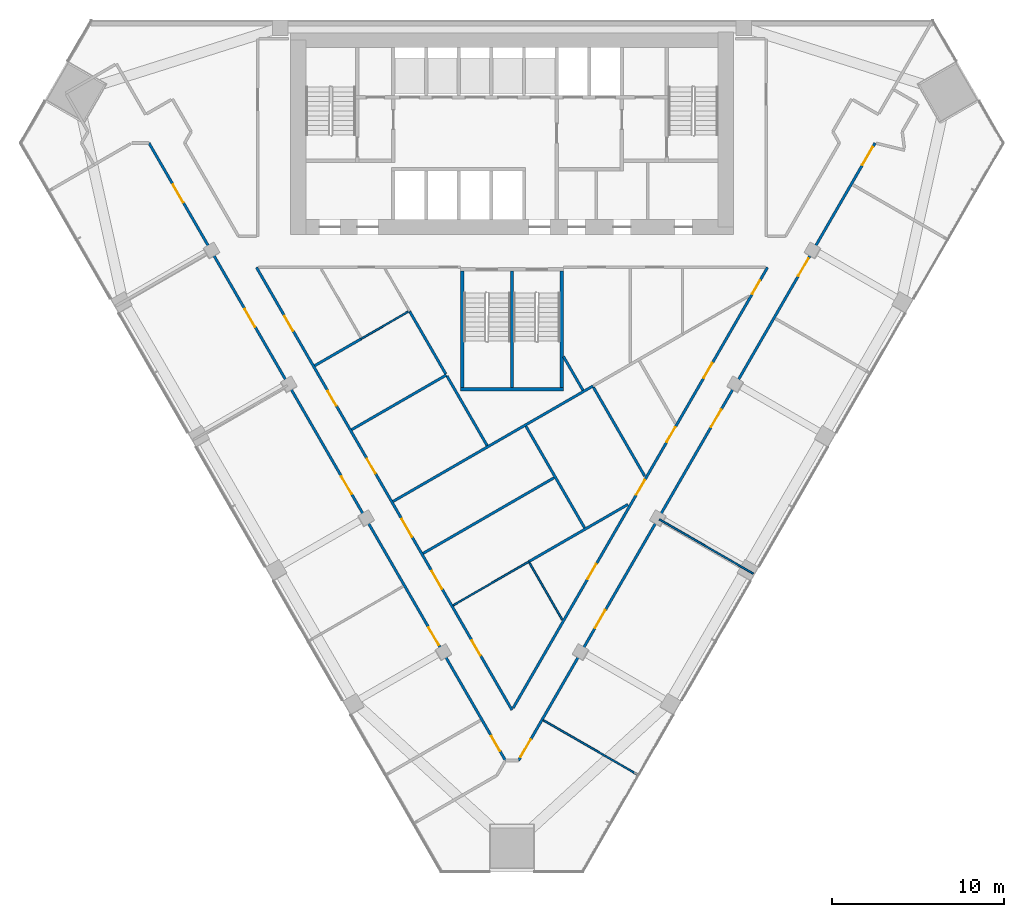
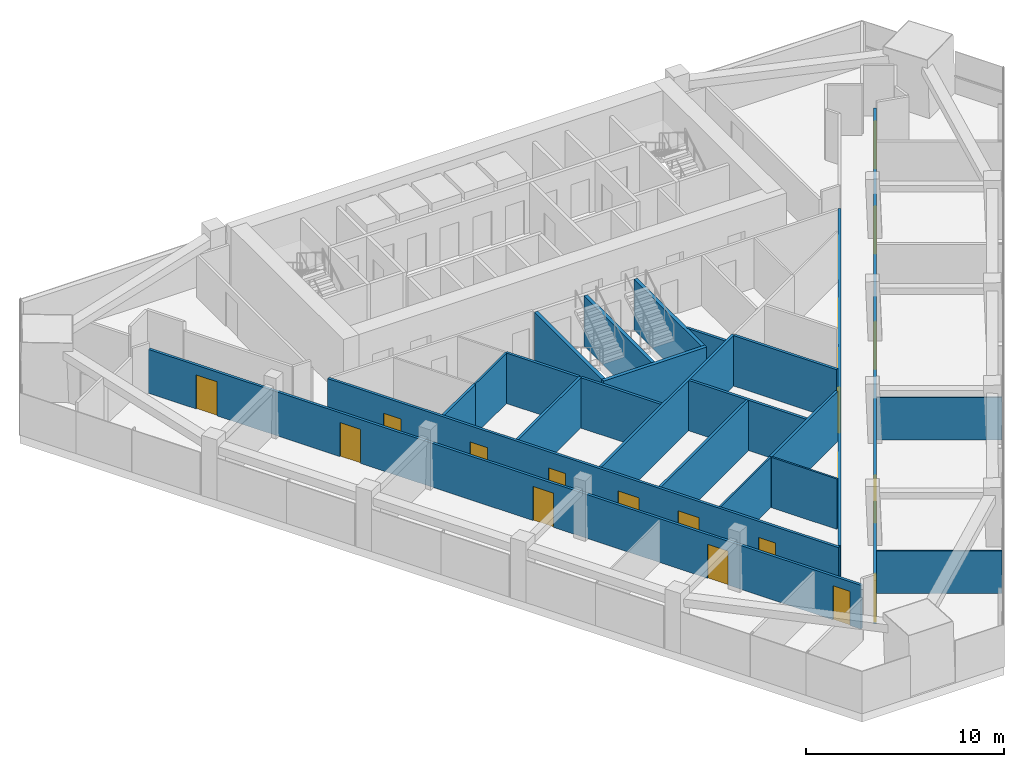
# One storey, part 9 of 14: 23 walls, 21 doors, 21 openings.
"""IFC4 building model written with IfcOpenShell, lengths in metres."""

import ifcopenshell
import ifcopenshell.guid

model = None  # the IFC model being written
_history = None  # IfcOwnerHistory: only IFC2X3 demands one
_inside = {}  # id of a spatial element -> (the spatial element, [elements in it])
_under = {}  # id of a project, library or spatial element -> (it, [spatial elements below it])
_declared = {}  # id of a project -> (the project, [libraries it declares])
_typed = {}  # id of a type object -> (the type object, [elements of that type])
_made_of = {}  # id of a material, layer set ... -> (it, [elements and type objects made of it])


def new_model(schema):
    """Start an empty IFC model of exactly this schema.

    Asked for "IFC4X3", IfcOpenShell would pick the latest addendum, in which some entities
    have other attributes; the version numbers below select the first issue.
    IFC2X3 requires an IfcOwnerHistory on every rooted entity: one is made here for all.
    """
    global model, _history
    if schema == "IFC4X3":
        model = ifcopenshell.file(schema_version=(4, 3, 0, 0))
    else:
        model = ifcopenshell.file(schema=schema)
    _inside.clear()
    _under.clear()
    _declared.clear()
    _typed.clear()
    _made_of.clear()
    _history = None
    if model.schema == "IFC2X3":
        org = make("IfcOrganization", Name="unknown")
        user = make(
            "IfcPersonAndOrganization",
            ThePerson=make("IfcPerson", FamilyName="unknown"),
            TheOrganization=org,
        )
        app = make(
            "IfcApplication",
            ApplicationDeveloper=org,
            Version="unknown",
            ApplicationFullName="unknown",
            ApplicationIdentifier="unknown",
        )
        _history = make(
            "IfcOwnerHistory",
            OwningUser=user,
            OwningApplication=app,
            ChangeAction="ADDED",
            CreationDate=0,
        )
    return model


def make(cls, **values):
    """One entity of the class cls with the attributes given. An attribute that is None is left unset."""
    return model.create_entity(
        cls, **{name: value for name, value in values.items() if value is not None}
    )


def rooted(cls, **values):
    """An entity with a GlobalId (a new one), such as an element, a storey or a relation."""
    return make(cls, GlobalId=ifcopenshell.guid.new(), OwnerHistory=_history, **values)


def si_unit(unit_type, name, prefix=None):
    """IfcSIUnit, for example si_unit("LENGTHUNIT", "METRE", prefix="MILLI")."""
    return make("IfcSIUnit", UnitType=unit_type, Prefix=prefix, Name=name)


def assignment(units):
    """IfcUnitAssignment: the units of a project."""
    return None if units is None else make("IfcUnitAssignment", Units=units)


def point(xyz):
    """IfcCartesianPoint."""
    return None if xyz is None else make("IfcCartesianPoint", Coordinates=xyz)


def direction(xyz):
    """IfcDirection."""
    return None if xyz is None else make("IfcDirection", DirectionRatios=xyz)


def frame(location, z_axis=None, x_axis=None):
    """IfcAxis2Placement3D, a coordinate frame: its origin and axes. An axis left out is left unset."""
    return make(
        "IfcAxis2Placement3D",
        Location=point(location),
        Axis=direction(z_axis),
        RefDirection=direction(x_axis),
    )


def frame_2d(location, x_axis=None):
    """IfcAxis2Placement2D, a coordinate frame in the plane: its origin and x axis."""
    return make(
        "IfcAxis2Placement2D", Location=point(location), RefDirection=direction(x_axis)
    )


def origin():
    """The frame at (0, 0, 0) with its axes left unset."""
    return frame((0.0, 0.0, 0.0))


def place(relative_to, where):
    """IfcLocalPlacement: puts the frame where relative to a parent placement (None: the world)."""
    return make(
        "IfcLocalPlacement", PlacementRelTo=relative_to, RelativePlacement=where
    )


def context(
    kind, dimensions, precision=None, world=None, true_north=None, identifier=None
):
    """IfcGeometricRepresentationContext, for example the 3D "Model" context."""
    return make(
        "IfcGeometricRepresentationContext",
        ContextIdentifier=identifier,
        ContextType=kind,
        CoordinateSpaceDimension=dimensions,
        Precision=precision,
        WorldCoordinateSystem=world,
        TrueNorth=true_north,
    )


def subcontext(parent, identifier, kind, view, scale=None):
    """IfcGeometricRepresentationSubContext, for example "Body" below "Model"."""
    return make(
        "IfcGeometricRepresentationSubContext",
        ContextIdentifier=identifier,
        ContextType=kind,
        ParentContext=parent,
        TargetScale=scale,
        TargetView=view,
    )


def project(units=None, contexts=None):
    """IfcProject with its units and contexts."""
    return rooted(
        "IfcProject",
        Name="project",
        RepresentationContexts=contexts,
        UnitsInContext=assignment(units),
    )


def spatial(cls, under=None, at=None, **own):
    """A site, building, storey or space (cls), placed at a placement, below another one or the project."""
    s = rooted(cls, ObjectPlacement=at, **own)
    if under is not None:
        _under.setdefault(under.id(), (under, []))[1].append(s)
    return s


def profile(cls, at=None, kind="AREA", **sizes):
    """A parametric profile (cls). Its sizes go by their IFC names, for example OverallWidth=200.0."""
    return make(cls, ProfileType=kind, Position=at, **sizes)


def rectangle(**sizes):
    """IfcRectangleProfileDef."""
    return profile("IfcRectangleProfileDef", **sizes)


def extrude(swept, where, along, depth):
    """IfcExtrudedAreaSolid: the profile swept, set in the frame where, extruded along a direction by depth."""
    return make(
        "IfcExtrudedAreaSolid",
        SweptArea=swept,
        Position=where,
        ExtrudedDirection=direction(along),
        Depth=depth,
    )


def shape(context_of_items, identifier, shape_type, items):
    """IfcShapeRepresentation: the items that make up one representation, for example the "Body"."""
    return make(
        "IfcShapeRepresentation",
        ContextOfItems=context_of_items,
        RepresentationIdentifier=identifier,
        RepresentationType=shape_type,
        Items=items,
    )


def material(Name=None, Category=None):
    """IfcMaterial."""
    return make("IfcMaterial", Name=Name, Category=Category)


def layer(
    of_material, thickness, ventilated=None, Name=None, Category=None, Priority=None
):
    """IfcMaterialLayer: one layer of a wall or slab, of a material (None: an air gap)."""
    return make(
        "IfcMaterialLayer",
        Material=of_material,
        LayerThickness=thickness,
        IsVentilated=ventilated,
        Name=Name,
        Category=Category,
        Priority=Priority,
    )


def layer_set(layers, Name=None):
    """IfcMaterialLayerSet."""
    return make("IfcMaterialLayerSet", MaterialLayers=layers, LayerSetName=Name)


def made_of(thing, what):
    """Note that an element or type object is made of a material, layer set ...; save() writes the relation."""
    if what is not None:
        _made_of.setdefault(what.id(), (what, []))[1].append(thing)
    return thing


def type_object(cls, material=None, **own):
    """A type object (cls), such as IfcWallType, which elements share."""
    return made_of(rooted(cls, **own), material)


def element(
    cls,
    number,
    at=None,
    inside=None,
    cuts=None,
    type_object=None,
    material=None,
    context=None,
    identifier="Body",
    shape_type=None,
    held_by="IfcProductDefinitionShape",
    body=None,
    shapes=None,
    **own,
):
    """One element of the class cls, such as IfcWall. Its Tag is "e" and its number.

    at: its placement. inside: the storey or other place that contains it. cuts: it is an
    opening in that element (IfcRelVoidsElement). A single representation is given by context,
    identifier, shape_type and body (its items); several are given by shapes. held_by: the class
    of the entity that holds the representations. save() writes the other relations.
    """
    e = rooted(cls, Tag="e%d" % number, ObjectPlacement=at, **own)
    if body is not None:
        shapes = [shape(context, identifier, shape_type, body)]
    if shapes is not None:
        e.Representation = make(held_by, Representations=shapes)
    if inside is not None:
        _inside.setdefault(inside.id(), (inside, []))[1].append(e)
    if cuts is not None:
        rooted(
            "IfcRelVoidsElement", RelatingBuildingElement=cuts, RelatedOpeningElement=e
        )
    if type_object is not None:
        _typed.setdefault(type_object.id(), (type_object, []))[1].append(e)
    return made_of(e, material)


def fill(opening, filler):
    """IfcRelFillsElement: the door or window that sits in an opening."""
    return rooted(
        "IfcRelFillsElement",
        RelatingOpeningElement=opening,
        RelatedBuildingElement=filler,
    )


def aggregate(whole, parts):
    """IfcRelAggregates: a whole, such as a stair, and the parts it consists of."""
    return rooted("IfcRelAggregates", RelatingObject=whole, RelatedObjects=parts)


def save(model, path):
    """Write the relations noted so far, then the file.

    IfcRelAggregates (storeys below a building ...), IfcRelContainedInSpatialStructure (elements
    in a storey), IfcRelDefinesByType, IfcRelAssociatesMaterial and IfcRelDeclares: one each for
    every whole, place, type object, material and project.
    """
    for whole, parts in _under.values():
        aggregate(whole, parts)
    for where, things in _inside.values():
        rooted(
            "IfcRelContainedInSpatialStructure",
            RelatedElements=things,
            RelatingStructure=where,
        )
    for kind, things in _typed.values():
        rooted("IfcRelDefinesByType", RelatedObjects=things, RelatingType=kind)
    for what, things in _made_of.values():
        rooted("IfcRelAssociatesMaterial", RelatedObjects=things, RelatingMaterial=what)
    for by, libraries in _declared.values():
        rooted("IfcRelDeclares", RelatingContext=by, RelatedDefinitions=libraries)
    model.write(path)


model = new_model("IFC4")

# Units and contexts
model_context = context("Model", 3, precision=1e-05, world=origin(), true_north=direction((0.0, 1.0)))
body_context = subcontext(model_context, "Body", "Model", "MODEL_VIEW")
ifc_project = project(units=[si_unit("LENGTHUNIT", "METRE"), si_unit("AREAUNIT", "SQUARE_METRE"), si_unit("VOLUMEUNIT", "CUBIC_METRE"), si_unit("PLANEANGLEUNIT", "RADIAN"), si_unit("MASSUNIT", "GRAM", prefix="KILO")], contexts=[model_context])

# Site, building, storey
site_placement = place(None, origin())
site = spatial("IfcSite", under=ifc_project, at=site_placement, CompositionType="ELEMENT")
building_placement = place(site_placement, origin())
building = spatial("IfcBuilding", under=site, at=building_placement, Name="Altiplano Prism Tower", CompositionType="ELEMENT")
storey_placement = place(building_placement, frame((0.0, 0.0, 108.0)))
storey = spatial("IfcBuildingStorey", under=building, at=storey_placement, Name="L27", CompositionType="ELEMENT", Elevation=108.0)

# Walls
ifc_material_1 = material(Name="Plasterboard on steel stud", Category="steel")
ifc_layer_1 = layer(ifc_material_1, 0.10009765625)
ifc_layer_set_1 = layer_set([ifc_layer_1], Name="Plasterboard on steel stud")
wall_type_1 = type_object("IfcWallType", Name="Partition 100 wet", PredefinedType="PARTITIONING", material=ifc_layer_set_1)
wall_1_placement = place(storey_placement, frame((76.22216796875, 86.44091796875, 0.0), z_axis=(0.0, 0.0, 1.0), x_axis=(0.866027491634, 0.499996383721, 0.0)))
element("IfcWall", 1, at=wall_1_placement, inside=storey, type_object=wall_type_1, Name="Partition P03 L27 037", PredefinedType="PARTITIONING", context=body_context, shape_type="SweptSolid", body=[
    extrude(rectangle(XDim=3.240234375, YDim=0.10009765625, at=frame_2d((1.6201171875, 0.0))), origin(), (0.0, 0.0, 1.0), 3.10009765625),
])
wall_2_placement = place(storey_placement, frame((86.014404296875, 73.40380859375, 0.0), z_axis=(0.0, 0.0, 1.0), x_axis=(0.499977104415, -0.866038622153, 0.0)))
element("IfcWall", 2, at=wall_2_placement, inside=storey, type_object=wall_type_1, Name="Partition P03 L27 040", PredefinedType="PARTITIONING", context=body_context, shape_type="SweptSolid", body=[
    extrude(rectangle(XDim=3.817626953125, YDim=0.10009765625, at=frame_2d((1.90869140625, 0.0))), origin(), (0.0, 0.0, 1.0), 3.10009765625),
])
for number, where, z_axis, x_axis, name in (
    (3, (92.300048828125, 61.078857421875, 0.0), (0.0, 0.0, 1.0), (-0.866032601554, 0.49998753289, 0.0), "Partition P03 L27 051"),
    (4, (99.050048828125, 72.770263671875, 0.0), (0.0, 0.0, 1.0), (-0.866032601554, 0.49998753289, 0.0), "Partition P03 L27 052"),
):
    element("IfcWall", number, at=place(storey_placement, frame(where, z_axis=z_axis, x_axis=x_axis)), inside=storey, type_object=wall_type_1, Name=name, PredefinedType="PARTITIONING", context=body_context, shape_type="SweptSolid", body=[
        extrude(rectangle(XDim=6.324951171875, YDim=0.10009765625, at=frame_2d((3.16259765625, 0.0))), origin(), (0.0, 0.0, 1.0), 2.60009765625),
    ])
wall_3_placement = place(storey_placement, frame((81.570556640625, 70.9248046875, 0.0), z_axis=(0.0, 0.0, 1.0), x_axis=(0.866025770688, 0.499999364504, 0.0)))
element("IfcWall", 5, at=wall_3_placement, inside=storey, type_object=wall_type_1, Name="Partition P03 L27 059", PredefinedType="PARTITIONING", context=body_context, shape_type="SweptSolid", body=[
    extrude(rectangle(XDim=5.087890625, YDim=0.10009765625, at=frame_2d((2.5439453125, 0.0))), origin(), (0.0, 0.0, 1.0), 3.10009765625),
])

# Wall, openings, doors
ifc_layer_2 = layer(ifc_material_1, 0.14990234375)
ifc_layer_set_2 = layer_set([ifc_layer_2], Name="Plasterboard on steel stud")
wall_type_2 = type_object("IfcWallType", Name="Partition 150 corridor", PredefinedType="PARTITIONING", material=ifc_layer_set_2)
wall_4_placement = place(storey_placement, frame((99.875732421875, 90.60009765625, 0.0), z_axis=(0.0, 0.0, 1.0), x_axis=(-0.499999508355, -0.866025687636, 0.0)))
wall_4 = element("IfcWall", 6, at=wall_4_placement, inside=storey, type_object=wall_type_2, Name="Partition P06 L27 002", PredefinedType="PARTITIONING", context=body_context, shape_type="SweptSolid", body=[
    extrude(rectangle(XDim=29.62158203125, YDim=0.14990234375, at=frame_2d((14.810791015625, 0.0))), origin(), (0.0, 0.0, 1.0), 3.10009765625),
])
opening_1_placement = place(wall_4_placement, frame((0.887939453125, 0.0, 0.0)))
opening_1 = element("IfcOpeningElement", 7, at=opening_1_placement, cuts=wall_4, Name="Opening D0991", PredefinedType="OPENING", context=body_context, shape_type="SweptSolid", body=[
    extrude(rectangle(XDim=0.89990234375, YDim=2.10009765625, at=frame_2d((0.449951171875, 1.050048828125))), frame((0.0, 0.08544921875, 0.0), z_axis=(0.0, -1.0, 0.0), x_axis=(1.0, 0.0, 0.0)), (0.0, 0.0, 1.0), 0.1708984375),
])
opening_2_placement = place(wall_4_placement, frame((19.949951171875, 0.0, 0.0)))
opening_2 = element("IfcOpeningElement", 8, at=opening_2_placement, cuts=wall_4, Name="Opening D0993", PredefinedType="OPENING", context=body_context, shape_type="SweptSolid", body=[
    extrude(rectangle(XDim=1.0, YDim=2.10009765625, at=frame_2d((0.5, 1.050048828125))), frame((0.0, 0.08544921875, 0.0), z_axis=(0.0, -1.0, 0.0), x_axis=(1.0, 0.0, 0.0)), (0.0, 0.0, 1.0), 0.1708984375),
])
opening_3_placement = place(wall_4_placement, frame((14.283935546875, 0.0, 0.0)))
opening_3 = element("IfcOpeningElement", 9, at=opening_3_placement, cuts=wall_4, Name="Opening D1009", PredefinedType="OPENING", context=body_context, shape_type="SweptSolid", body=[
    extrude(rectangle(XDim=1.0, YDim=2.10009765625, at=frame_2d((0.5, 1.050048828125))), frame((0.0, 0.08544921875, 0.0), z_axis=(0.0, -1.0, 0.0), x_axis=(1.0, 0.0, 0.0)), (0.0, 0.0, 1.0), 0.1708984375),
])
opening_4_placement = place(wall_4_placement, frame((6.43505859375, 0.0, 0.0)))
opening_4 = element("IfcOpeningElement", 10, at=opening_4_placement, cuts=wall_4, Name="Opening D1016", PredefinedType="OPENING", context=body_context, shape_type="SweptSolid", body=[
    extrude(rectangle(XDim=1.0, YDim=2.10009765625, at=frame_2d((0.5, 1.050048828125))), frame((0.0, 0.08544921875, 0.0), z_axis=(0.0, -1.0, 0.0), x_axis=(1.0, 0.0, 0.0)), (0.0, 0.0, 1.0), 0.1708984375),
])
opening_5_placement = place(wall_4_placement, frame((10.748046875, 0.0, 0.0)))
opening_5 = element("IfcOpeningElement", 11, at=opening_5_placement, cuts=wall_4, Name="Opening D1017", PredefinedType="OPENING", context=body_context, shape_type="SweptSolid", body=[
    extrude(rectangle(XDim=1.0, YDim=2.10009765625, at=frame_2d((0.5, 1.050048828125))), frame((0.0, 0.08544921875, 0.0), z_axis=(0.0, -1.0, 0.0), x_axis=(1.0, 0.0, 0.0)), (0.0, 0.0, 1.0), 0.1708984375),
])
ifc_material_2 = material(Name="Timber", Category="wood")
door_type_1 = type_object("IfcDoorType", Name="Room door 1000 x 2100", OperationType="NOTDEFINED", PredefinedType="NOTDEFINED", material=ifc_material_2)
door_1_placement = place(opening_4_placement, origin())
door_1 = element("IfcDoor", 12, at=door_1_placement, inside=storey, type_object=door_type_1, Name="Door D1016", OperationType="SINGLE_SWING_RIGHT", OverallHeight=2.10009765625, OverallWidth=1.0, PredefinedType="NOTDEFINED", context=body_context, shape_type="SweptSolid", body=[
    extrude(rectangle(XDim=1.0, YDim=2.10009765625, at=frame_2d((0.5, 1.050048828125))), frame((0.0, 0.02490234375, 0.0), z_axis=(0.0, -1.0, 0.0), x_axis=(1.0, 0.0, 0.0)), (0.0, 0.0, 1.0), 0.050048828125),
])
fill(opening_4, door_1)
door_2_placement = place(opening_5_placement, origin())
door_2 = element("IfcDoor", 13, at=door_2_placement, inside=storey, type_object=door_type_1, Name="Door D1017", OperationType="SINGLE_SWING_RIGHT", OverallHeight=2.10009765625, OverallWidth=1.0, PredefinedType="NOTDEFINED", context=body_context, shape_type="SweptSolid", body=[
    extrude(rectangle(XDim=1.0, YDim=2.10009765625, at=frame_2d((0.5, 1.050048828125))), frame((0.0, 0.02490234375, 0.0), z_axis=(0.0, -1.0, 0.0), x_axis=(1.0, 0.0, 0.0)), (0.0, 0.0, 1.0), 0.050048828125),
])
fill(opening_5, door_2)
door_type_2 = type_object("IfcDoorType", Name="Store door 1000 x 2100", OperationType="NOTDEFINED", PredefinedType="NOTDEFINED", material=ifc_material_2)
door_3_placement = place(opening_2_placement, origin())
door_3 = element("IfcDoor", 14, at=door_3_placement, inside=storey, type_object=door_type_2, Name="Door D0993", OperationType="SINGLE_SWING_RIGHT", OverallHeight=2.10009765625, OverallWidth=1.0, PredefinedType="NOTDEFINED", context=body_context, shape_type="SweptSolid", body=[
    extrude(rectangle(XDim=1.0, YDim=2.10009765625, at=frame_2d((0.5, 1.050048828125))), frame((0.0, 0.02490234375, 0.0), z_axis=(0.0, -1.0, 0.0), x_axis=(1.0, 0.0, 0.0)), (0.0, 0.0, 1.0), 0.050048828125),
])
fill(opening_2, door_3)
door_4_placement = place(opening_3_placement, origin())
door_4 = element("IfcDoor", 15, at=door_4_placement, inside=storey, type_object=door_type_2, Name="Door D1009", OperationType="SINGLE_SWING_RIGHT", OverallHeight=2.10009765625, OverallWidth=1.0, PredefinedType="NOTDEFINED", context=body_context, shape_type="SweptSolid", body=[
    extrude(rectangle(XDim=1.0, YDim=2.10009765625, at=frame_2d((0.5, 1.050048828125))), frame((0.0, 0.02490234375, 0.0), z_axis=(0.0, -1.0, 0.0), x_axis=(1.0, 0.0, 0.0)), (0.0, 0.0, 1.0), 0.050048828125),
])
fill(opening_3, door_4)
door_type_3 = type_object("IfcDoorType", Name="Toilet door 900 x 2100", OperationType="NOTDEFINED", PredefinedType="NOTDEFINED", material=ifc_material_2)
door_5_placement = place(opening_1_placement, origin())
door_5 = element("IfcDoor", 16, at=door_5_placement, inside=storey, type_object=door_type_3, Name="Door D0991", OperationType="SINGLE_SWING_RIGHT", OverallHeight=2.10009765625, OverallWidth=0.89990234375, PredefinedType="NOTDEFINED", context=body_context, shape_type="SweptSolid", body=[
    extrude(rectangle(XDim=0.89990234375, YDim=2.10009765625, at=frame_2d((0.449951171875, 1.050048828125))), frame((0.0, 0.02490234375, 0.0), z_axis=(0.0, -1.0, 0.0), x_axis=(1.0, 0.0, 0.0)), (0.0, 0.0, 1.0), 0.050048828125),
])
fill(opening_1, door_5)

wall_5_placement = place(storey_placement, frame((63.8662109375, 97.839599609375, 0.0), z_axis=(0.0, 0.0, 1.0), x_axis=(0.499996899578, -0.866027193807, 0.0)))
wall_5 = element("IfcWall", 17, at=wall_5_placement, inside=storey, type_object=wall_type_2, Name="Partition P06 L27 005", PredefinedType="PARTITIONING", context=body_context, shape_type="SweptSolid", body=[
    extrude(rectangle(XDim=41.505126953125, YDim=0.14990234375, at=frame_2d((20.75244140625, 0.0))), origin(), (0.0, 0.0, 1.0), 2.699951171875),
])
opening_6_placement = place(wall_5_placement, frame((2.7919921875, 0.0, 0.0)))
opening_6 = element("IfcOpeningElement", 18, at=opening_6_placement, cuts=wall_5, Name="Opening D0995", PredefinedType="OPENING", context=body_context, shape_type="SweptSolid", body=[
    extrude(rectangle(XDim=1.199951171875, YDim=2.10009765625, at=frame_2d((0.60009765625, 1.050048828125))), frame((0.0, 0.08544921875, 0.0), z_axis=(0.0, -1.0, 0.0), x_axis=(1.0, 0.0, 0.0)), (0.0, 0.0, 1.0), 0.1708984375),
])
opening_7_placement = place(wall_5_placement, frame((11.153076171875, 0.0, 0.0)))
opening_7 = element("IfcOpeningElement", 19, at=opening_7_placement, cuts=wall_5, Name="Opening D0996", PredefinedType="OPENING", context=body_context, shape_type="SweptSolid", body=[
    extrude(rectangle(XDim=1.199951171875, YDim=2.10009765625, at=frame_2d((0.60009765625, 1.050048828125))), frame((0.0, 0.08544921875, 0.0), z_axis=(0.0, -1.0, 0.0), x_axis=(1.0, 0.0, 0.0)), (0.0, 0.0, 1.0), 0.1708984375),
])
opening_8_placement = place(wall_5_placement, frame((22.403076171875, 0.0, 0.0)))
opening_8 = element("IfcOpeningElement", 20, at=opening_8_placement, cuts=wall_5, Name="Opening D0997", PredefinedType="OPENING", context=body_context, shape_type="SweptSolid", body=[
    extrude(rectangle(XDim=1.199951171875, YDim=2.10009765625, at=frame_2d((0.60009765625, 1.050048828125))), frame((0.0, 0.08544921875, 0.0), z_axis=(0.0, -1.0, 0.0), x_axis=(1.0, 0.0, 0.0)), (0.0, 0.0, 1.0), 0.1708984375),
])
opening_9_placement = place(wall_5_placement, frame((32.552978515625, 0.0, 0.0)))
opening_9 = element("IfcOpeningElement", 21, at=opening_9_placement, cuts=wall_5, Name="Opening D0998", PredefinedType="OPENING", context=body_context, shape_type="SweptSolid", body=[
    extrude(rectangle(XDim=1.199951171875, YDim=2.10009765625, at=frame_2d((0.60009765625, 1.050048828125))), frame((0.0, 0.08544921875, 0.0), z_axis=(0.0, -1.0, 0.0), x_axis=(1.0, 0.0, 0.0)), (0.0, 0.0, 1.0), 0.1708984375),
])
opening_10_placement = place(wall_5_placement, frame((39.864013671875, 0.0, 0.0)))
opening_10 = element("IfcOpeningElement", 22, at=opening_10_placement, cuts=wall_5, Name="Opening D0999", PredefinedType="OPENING", context=body_context, shape_type="SweptSolid", body=[
    extrude(rectangle(XDim=1.0, YDim=2.10009765625, at=frame_2d((0.5, 1.050048828125))), frame((0.0, 0.08544921875, 0.0), z_axis=(0.0, -1.0, 0.0), x_axis=(1.0, 0.0, 0.0)), (0.0, 0.0, 1.0), 0.1708984375),
])
door_6_placement = place(opening_10_placement, origin())
door_6 = element("IfcDoor", 23, at=door_6_placement, inside=storey, type_object=door_type_1, Name="Door D0999", OperationType="SINGLE_SWING_LEFT", OverallHeight=2.10009765625, OverallWidth=1.0, PredefinedType="NOTDEFINED", context=body_context, shape_type="SweptSolid", body=[
    extrude(rectangle(XDim=1.0, YDim=2.10009765625, at=frame_2d((0.5, 1.050048828125))), frame((0.0, 0.02490234375, 0.0), z_axis=(0.0, -1.0, 0.0), x_axis=(1.0, 0.0, 0.0)), (0.0, 0.0, 1.0), 0.050048828125),
])
fill(opening_10, door_6)
door_type_4 = type_object("IfcDoorType", Name="Shared room door 1200 x 2100", OperationType="NOTDEFINED", PredefinedType="NOTDEFINED", material=ifc_material_2)
door_7_placement = place(opening_6_placement, origin())
door_7 = element("IfcDoor", 24, at=door_7_placement, inside=storey, type_object=door_type_4, Name="Door D0995", OperationType="SINGLE_SWING_LEFT", OverallHeight=2.10009765625, OverallWidth=1.199951171875, PredefinedType="NOTDEFINED", context=body_context, shape_type="SweptSolid", body=[
    extrude(rectangle(XDim=1.199951171875, YDim=2.10009765625, at=frame_2d((0.60009765625, 1.050048828125))), frame((0.0, 0.02490234375, 0.0), z_axis=(0.0, -1.0, 0.0), x_axis=(1.0, 0.0, 0.0)), (0.0, 0.0, 1.0), 0.050048828125),
])
fill(opening_6, door_7)
door_8_placement = place(opening_7_placement, origin())
door_8 = element("IfcDoor", 25, at=door_8_placement, inside=storey, type_object=door_type_4, Name="Door D0996", OperationType="SINGLE_SWING_RIGHT", OverallHeight=2.10009765625, OverallWidth=1.199951171875, PredefinedType="NOTDEFINED", context=body_context, shape_type="SweptSolid", body=[
    extrude(rectangle(XDim=1.199951171875, YDim=2.10009765625, at=frame_2d((0.60009765625, 1.050048828125))), frame((0.0, 0.02490234375, 0.0), z_axis=(0.0, -1.0, 0.0), x_axis=(1.0, 0.0, 0.0)), (0.0, 0.0, 1.0), 0.050048828125),
])
fill(opening_7, door_8)
door_9_placement = place(opening_8_placement, origin())
door_9 = element("IfcDoor", 26, at=door_9_placement, inside=storey, type_object=door_type_4, Name="Door D0997", OperationType="SINGLE_SWING_RIGHT", OverallHeight=2.10009765625, OverallWidth=1.199951171875, PredefinedType="NOTDEFINED", context=body_context, shape_type="SweptSolid", body=[
    extrude(rectangle(XDim=1.199951171875, YDim=2.10009765625, at=frame_2d((0.60009765625, 1.050048828125))), frame((0.0, 0.02490234375, 0.0), z_axis=(0.0, -1.0, 0.0), x_axis=(1.0, 0.0, 0.0)), (0.0, 0.0, 1.0), 0.050048828125),
])
fill(opening_8, door_9)
door_10_placement = place(opening_9_placement, origin())
door_10 = element("IfcDoor", 27, at=door_10_placement, inside=storey, type_object=door_type_4, Name="Door D0998", OperationType="SINGLE_SWING_RIGHT", OverallHeight=2.10009765625, OverallWidth=1.199951171875, PredefinedType="NOTDEFINED", context=body_context, shape_type="SweptSolid", body=[
    extrude(rectangle(XDim=1.199951171875, YDim=2.10009765625, at=frame_2d((0.60009765625, 1.050048828125))), frame((0.0, 0.02490234375, 0.0), z_axis=(0.0, -1.0, 0.0), x_axis=(1.0, 0.0, 0.0)), (0.0, 0.0, 1.0), 0.050048828125),
])
fill(opening_9, door_10)

wall_6_placement = place(storey_placement, frame((85.38134765625, 61.89501953125, 0.0), z_axis=(0.0, 0.0, 1.0), x_axis=(0.499996899578, 0.866027193807, 0.0)))
wall_6 = element("IfcWall", 28, at=wall_6_placement, inside=storey, type_object=wall_type_2, Name="Partition P06 L27 007", PredefinedType="PARTITIONING", context=body_context, shape_type="SweptSolid", body=[
    extrude(rectangle(XDim=41.505126953125, YDim=0.14990234375, at=frame_2d((20.75244140625, 0.0))), origin(), (0.0, 0.0, 1.0), 2.699951171875),
])
opening_11_placement = place(wall_6_placement, frame((0.22607421875, 0.0, 0.0)))
opening_11 = element("IfcOpeningElement", 29, at=opening_11_placement, cuts=wall_6, Name="Opening D1000", PredefinedType="OPENING", context=body_context, shape_type="SweptSolid", body=[
    extrude(rectangle(XDim=1.199951171875, YDim=2.10009765625, at=frame_2d((0.60009765625, 1.050048828125))), frame((0.0, 0.08544921875, 0.0), z_axis=(0.0, -1.0, 0.0), x_axis=(1.0, 0.0, 0.0)), (0.0, 0.0, 1.0), 0.1708984375),
])
opening_12_placement = place(wall_6_placement, frame((8.903076171875, 0.0, 0.0)))
opening_12 = element("IfcOpeningElement", 30, at=opening_12_placement, cuts=wall_6, Name="Opening D1001", PredefinedType="OPENING", context=body_context, shape_type="SweptSolid", body=[
    extrude(rectangle(XDim=1.199951171875, YDim=2.10009765625, at=frame_2d((0.60009765625, 1.050048828125))), frame((0.0, 0.08544921875, 0.0), z_axis=(0.0, -1.0, 0.0), x_axis=(1.0, 0.0, 0.0)), (0.0, 0.0, 1.0), 0.1708984375),
])
opening_13_placement = place(wall_6_placement, frame((22.403076171875, 0.0, 0.0)))
opening_13 = element("IfcOpeningElement", 31, at=opening_13_placement, cuts=wall_6, Name="Opening D1002", PredefinedType="OPENING", context=body_context, shape_type="SweptSolid", body=[
    extrude(rectangle(XDim=1.199951171875, YDim=2.10009765625, at=frame_2d((0.60009765625, 1.050048828125))), frame((0.0, 0.08544921875, 0.0), z_axis=(0.0, -1.0, 0.0), x_axis=(1.0, 0.0, 0.0)), (0.0, 0.0, 1.0), 0.1708984375),
])
opening_14_placement = place(wall_6_placement, frame((32.552978515625, 0.0, 0.0)))
opening_14 = element("IfcOpeningElement", 32, at=opening_14_placement, cuts=wall_6, Name="Opening D1003", PredefinedType="OPENING", context=body_context, shape_type="SweptSolid", body=[
    extrude(rectangle(XDim=1.199951171875, YDim=2.10009765625, at=frame_2d((0.60009765625, 1.050048828125))), frame((0.0, 0.08544921875, 0.0), z_axis=(0.0, -1.0, 0.0), x_axis=(1.0, 0.0, 0.0)), (0.0, 0.0, 1.0), 0.1708984375),
])
opening_15_placement = place(wall_6_placement, frame((40.02392578125, 0.0, 0.0)))
opening_15 = element("IfcOpeningElement", 33, at=opening_15_placement, cuts=wall_6, Name="Opening D1004", PredefinedType="OPENING", context=body_context, shape_type="SweptSolid", body=[
    extrude(rectangle(XDim=1.199951171875, YDim=2.10009765625, at=frame_2d((0.60009765625, 1.050048828125))), frame((0.0, 0.08544921875, 0.0), z_axis=(0.0, -1.0, 0.0), x_axis=(1.0, 0.0, 0.0)), (0.0, 0.0, 1.0), 0.1708984375),
])
door_11_placement = place(opening_11_placement, origin())
door_11 = element("IfcDoor", 34, at=door_11_placement, inside=storey, type_object=door_type_4, Name="Door D1000", OperationType="SINGLE_SWING_RIGHT", OverallHeight=2.10009765625, OverallWidth=1.199951171875, PredefinedType="NOTDEFINED", context=body_context, shape_type="SweptSolid", body=[
    extrude(rectangle(XDim=1.199951171875, YDim=2.10009765625, at=frame_2d((0.60009765625, 1.050048828125))), frame((0.0, 0.02490234375, 0.0), z_axis=(0.0, -1.0, 0.0), x_axis=(1.0, 0.0, 0.0)), (0.0, 0.0, 1.0), 0.050048828125),
])
fill(opening_11, door_11)
door_12_placement = place(opening_12_placement, origin())
door_12 = element("IfcDoor", 35, at=door_12_placement, inside=storey, type_object=door_type_4, Name="Door D1001", OperationType="SINGLE_SWING_LEFT", OverallHeight=2.10009765625, OverallWidth=1.199951171875, PredefinedType="NOTDEFINED", context=body_context, shape_type="SweptSolid", body=[
    extrude(rectangle(XDim=1.199951171875, YDim=2.10009765625, at=frame_2d((0.60009765625, 1.050048828125))), frame((0.0, 0.02490234375, 0.0), z_axis=(0.0, -1.0, 0.0), x_axis=(1.0, 0.0, 0.0)), (0.0, 0.0, 1.0), 0.050048828125),
])
fill(opening_12, door_12)
door_13_placement = place(opening_13_placement, origin())
door_13 = element("IfcDoor", 36, at=door_13_placement, inside=storey, type_object=door_type_4, Name="Door D1002", OperationType="SINGLE_SWING_RIGHT", OverallHeight=2.10009765625, OverallWidth=1.199951171875, PredefinedType="NOTDEFINED", context=body_context, shape_type="SweptSolid", body=[
    extrude(rectangle(XDim=1.199951171875, YDim=2.10009765625, at=frame_2d((0.60009765625, 1.050048828125))), frame((0.0, 0.02490234375, 0.0), z_axis=(0.0, -1.0, 0.0), x_axis=(1.0, 0.0, 0.0)), (0.0, 0.0, 1.0), 0.050048828125),
])
fill(opening_13, door_13)
door_14_placement = place(opening_14_placement, origin())
door_14 = element("IfcDoor", 37, at=door_14_placement, inside=storey, type_object=door_type_4, Name="Door D1003", OperationType="SINGLE_SWING_RIGHT", OverallHeight=2.10009765625, OverallWidth=1.199951171875, PredefinedType="NOTDEFINED", context=body_context, shape_type="SweptSolid", body=[
    extrude(rectangle(XDim=1.199951171875, YDim=2.10009765625, at=frame_2d((0.60009765625, 1.050048828125))), frame((0.0, 0.02490234375, 0.0), z_axis=(0.0, -1.0, 0.0), x_axis=(1.0, 0.0, 0.0)), (0.0, 0.0, 1.0), 0.050048828125),
])
fill(opening_14, door_14)
door_15_placement = place(opening_15_placement, origin())
door_15 = element("IfcDoor", 38, at=door_15_placement, inside=storey, type_object=door_type_4, Name="Door D1004", OperationType="SINGLE_SWING_RIGHT", OverallHeight=2.10009765625, OverallWidth=1.199951171875, PredefinedType="NOTDEFINED", context=body_context, shape_type="SweptSolid", body=[
    extrude(rectangle(XDim=1.199951171875, YDim=2.10009765625, at=frame_2d((0.60009765625, 1.050048828125))), frame((0.0, 0.02490234375, 0.0), z_axis=(0.0, -1.0, 0.0), x_axis=(1.0, 0.0, 0.0)), (0.0, 0.0, 1.0), 0.050048828125),
])
fill(opening_15, door_15)

wall_7_placement = place(storey_placement, frame((85.0, 64.83447265625, 0.0), z_axis=(0.0, 0.0, 1.0), x_axis=(-0.499998535175, 0.8660262495, 0.0)))
wall_7 = element("IfcWall", 39, at=wall_7_placement, inside=storey, type_object=wall_type_2, Name="Partition P06 L27 032", PredefinedType="PARTITIONING", context=body_context, shape_type="SweptSolid", body=[
    extrude(rectangle(XDim=29.75146484375, YDim=0.14990234375, at=frame_2d((14.875732421875, 0.0))), origin(), (0.0, 0.0, 1.0), 3.10009765625),
])
opening_16_placement = place(wall_7_placement, frame((11.62890625, 0.0, 0.0)))
opening_16 = element("IfcOpeningElement", 40, at=opening_16_placement, cuts=wall_7, Name="Opening D1007", PredefinedType="OPENING", context=body_context, shape_type="SweptSolid", body=[
    extrude(rectangle(XDim=1.199951171875, YDim=2.10009765625, at=frame_2d((0.60009765625, 1.050048828125))), frame((0.0, 0.08544921875, 0.0), z_axis=(0.0, -1.0, 0.0), x_axis=(1.0, 0.0, 0.0)), (0.0, 0.0, 1.0), 0.1708984375),
])
opening_17_placement = place(wall_7_placement, frame((8.135986328125, 0.0, 0.0)))
opening_17 = element("IfcOpeningElement", 41, at=opening_17_placement, cuts=wall_7, Name="Opening D1008", PredefinedType="OPENING", context=body_context, shape_type="SweptSolid", body=[
    extrude(rectangle(XDim=1.199951171875, YDim=2.10009765625, at=frame_2d((0.60009765625, 1.050048828125))), frame((0.0, 0.08544921875, 0.0), z_axis=(0.0, -1.0, 0.0), x_axis=(1.0, 0.0, 0.0)), (0.0, 0.0, 1.0), 0.1708984375),
])
opening_18_placement = place(wall_7_placement, frame((15.886962890625, 0.0, 0.0)))
opening_18 = element("IfcOpeningElement", 42, at=opening_18_placement, cuts=wall_7, Name="Opening D1010", PredefinedType="OPENING", context=body_context, shape_type="SweptSolid", body=[
    extrude(rectangle(XDim=1.0, YDim=2.10009765625, at=frame_2d((0.5, 1.050048828125))), frame((0.0, 0.08544921875, 0.0), z_axis=(0.0, -1.0, 0.0), x_axis=(1.0, 0.0, 0.0)), (0.0, 0.0, 1.0), 0.1708984375),
])
opening_19_placement = place(wall_7_placement, frame((3.673095703125, 0.0, 0.0)))
opening_19 = element("IfcOpeningElement", 43, at=opening_19_placement, cuts=wall_7, Name="Opening D1012", PredefinedType="OPENING", context=body_context, shape_type="SweptSolid", body=[
    extrude(rectangle(XDim=1.0, YDim=2.10009765625, at=frame_2d((0.5, 1.050048828125))), frame((0.0, 0.08544921875, 0.0), z_axis=(0.0, -1.0, 0.0), x_axis=(1.0, 0.0, 0.0)), (0.0, 0.0, 1.0), 0.1708984375),
])
opening_20_placement = place(wall_7_placement, frame((20.449951171875, 0.0, 0.0)))
opening_20 = element("IfcOpeningElement", 44, at=opening_20_placement, cuts=wall_7, Name="Opening D1013", PredefinedType="OPENING", context=body_context, shape_type="SweptSolid", body=[
    extrude(rectangle(XDim=1.0, YDim=2.10009765625, at=frame_2d((0.5, 1.050048828125))), frame((0.0, 0.08544921875, 0.0), z_axis=(0.0, -1.0, 0.0), x_axis=(1.0, 0.0, 0.0)), (0.0, 0.0, 1.0), 0.1708984375),
])
opening_21_placement = place(wall_7_placement, frame((25.486083984375, 0.0, 0.0)))
opening_21 = element("IfcOpeningElement", 45, at=opening_21_placement, cuts=wall_7, Name="Opening D1015", PredefinedType="OPENING", context=body_context, shape_type="SweptSolid", body=[
    extrude(rectangle(XDim=1.0, YDim=2.10009765625, at=frame_2d((0.5, 1.050048828125))), frame((0.0, 0.08544921875, 0.0), z_axis=(0.0, -1.0, 0.0), x_axis=(1.0, 0.0, 0.0)), (0.0, 0.0, 1.0), 0.1708984375),
])
door_16_placement = place(opening_19_placement, origin())
door_16 = element("IfcDoor", 46, at=door_16_placement, inside=storey, type_object=door_type_1, Name="Door D1012", OperationType="SINGLE_SWING_RIGHT", OverallHeight=2.10009765625, OverallWidth=1.0, PredefinedType="NOTDEFINED", context=body_context, shape_type="SweptSolid", body=[
    extrude(rectangle(XDim=1.0, YDim=2.10009765625, at=frame_2d((0.5, 1.050048828125))), frame((0.0, 0.02490234375, 0.0), z_axis=(0.0, -1.0, 0.0), x_axis=(1.0, 0.0, 0.0)), (0.0, 0.0, 1.0), 0.050048828125),
])
fill(opening_19, door_16)
door_17_placement = place(opening_21_placement, origin())
door_17 = element("IfcDoor", 47, at=door_17_placement, inside=storey, type_object=door_type_1, Name="Door D1015", OperationType="SINGLE_SWING_RIGHT", OverallHeight=2.10009765625, OverallWidth=1.0, PredefinedType="NOTDEFINED", context=body_context, shape_type="SweptSolid", body=[
    extrude(rectangle(XDim=1.0, YDim=2.10009765625, at=frame_2d((0.5, 1.050048828125))), frame((0.0, 0.02490234375, 0.0), z_axis=(0.0, -1.0, 0.0), x_axis=(1.0, 0.0, 0.0)), (0.0, 0.0, 1.0), 0.050048828125),
])
fill(opening_21, door_17)
door_18_placement = place(opening_16_placement, origin())
door_18 = element("IfcDoor", 48, at=door_18_placement, inside=storey, type_object=door_type_4, Name="Door D1007", OperationType="SINGLE_SWING_RIGHT", OverallHeight=2.10009765625, OverallWidth=1.199951171875, PredefinedType="NOTDEFINED", context=body_context, shape_type="SweptSolid", body=[
    extrude(rectangle(XDim=1.199951171875, YDim=2.10009765625, at=frame_2d((0.60009765625, 1.050048828125))), frame((0.0, 0.02490234375, 0.0), z_axis=(0.0, -1.0, 0.0), x_axis=(1.0, 0.0, 0.0)), (0.0, 0.0, 1.0), 0.050048828125),
])
fill(opening_16, door_18)
door_19_placement = place(opening_17_placement, origin())
door_19 = element("IfcDoor", 49, at=door_19_placement, inside=storey, type_object=door_type_4, Name="Door D1008", OperationType="SINGLE_SWING_LEFT", OverallHeight=2.10009765625, OverallWidth=1.199951171875, PredefinedType="NOTDEFINED", context=body_context, shape_type="SweptSolid", body=[
    extrude(rectangle(XDim=1.199951171875, YDim=2.10009765625, at=frame_2d((0.60009765625, 1.050048828125))), frame((0.0, 0.02490234375, 0.0), z_axis=(0.0, -1.0, 0.0), x_axis=(1.0, 0.0, 0.0)), (0.0, 0.0, 1.0), 0.050048828125),
])
fill(opening_17, door_19)
door_20_placement = place(opening_18_placement, origin())
door_20 = element("IfcDoor", 50, at=door_20_placement, inside=storey, type_object=door_type_2, Name="Door D1010", OperationType="SINGLE_SWING_LEFT", OverallHeight=2.10009765625, OverallWidth=1.0, PredefinedType="NOTDEFINED", context=body_context, shape_type="SweptSolid", body=[
    extrude(rectangle(XDim=1.0, YDim=2.10009765625, at=frame_2d((0.5, 1.050048828125))), frame((0.0, 0.02490234375, 0.0), z_axis=(0.0, -1.0, 0.0), x_axis=(1.0, 0.0, 0.0)), (0.0, 0.0, 1.0), 0.050048828125),
])
fill(opening_18, door_20)
door_21_placement = place(opening_20_placement, origin())
door_21 = element("IfcDoor", 51, at=door_21_placement, inside=storey, type_object=door_type_2, Name="Door D1013", OperationType="SINGLE_SWING_LEFT", OverallHeight=2.10009765625, OverallWidth=1.0, PredefinedType="NOTDEFINED", context=body_context, shape_type="SweptSolid", body=[
    extrude(rectangle(XDim=1.0, YDim=2.10009765625, at=frame_2d((0.5, 1.050048828125))), frame((0.0, 0.02490234375, 0.0), z_axis=(0.0, -1.0, 0.0), x_axis=(1.0, 0.0, 0.0)), (0.0, 0.0, 1.0), 0.050048828125),
])
fill(opening_20, door_21)

# Walls
ifc_layer_3 = layer(ifc_material_1, 0.14990234375)
ifc_layer_set_3 = layer_set([ifc_layer_3], Name="Plasterboard on steel stud")
wall_type_3 = type_object("IfcWallType", Name="Partition 150 party", PredefinedType="PARTITIONING", material=ifc_layer_set_3)
wall_8_placement = place(storey_placement, frame((91.74658203125, 76.7998046875, 0.0), z_axis=(0.0, 0.0, 1.0), x_axis=(-0.866024350604, -0.500001824158, 0.0)))
element("IfcWall", 52, at=wall_8_placement, inside=storey, type_object=wall_type_3, Name="Partition P01 L27 039", PredefinedType="PARTITIONING", context=body_context, shape_type="SweptSolid", body=[
    extrude(rectangle(XDim=6.68212890625, YDim=0.14990234375, at=frame_2d((3.341064453125, 0.0))), origin(), (0.0, 0.0, 1.0), 3.10009765625),
])
wall_9_placement = place(storey_placement, frame((79.82373046875, 73.9501953125, 0.0), z_axis=(0.0, 0.0, 1.0), x_axis=(0.866019468283, 0.500010280449, 0.0)))
element("IfcWall", 53, at=wall_9_placement, inside=storey, type_object=wall_type_3, Name="Partition P01 L27 056", PredefinedType="PARTITIONING", context=body_context, shape_type="SweptSolid", body=[
    extrude(rectangle(XDim=8.810791015625, YDim=0.14990234375, at=frame_2d((4.4052734375, 0.0))), origin(), (0.0, 0.0, 1.0), 3.10009765625),
])
wall_10_placement = place(storey_placement, frame((89.228515625, 75.4326171875, 0.0), z_axis=(0.0, 0.0, 1.0), x_axis=(-0.500014030929, 0.866017302872, 0.0)))
element("IfcWall", 54, at=wall_10_placement, inside=storey, type_object=wall_type_3, Name="Partition P01 L27 057", PredefinedType="PARTITIONING", context=body_context, shape_type="SweptSolid", body=[
    extrude(rectangle(XDim=6.837158203125, YDim=0.14990234375, at=frame_2d((3.41845703125, 0.0))), origin(), (0.0, 0.0, 1.0), 3.10009765625),
])
wall_11_placement = place(storey_placement, frame((89.718505859375, 83.697265625, 0.0), z_axis=(0.0, 0.0, 1.0), x_axis=(-0.866020451134, -0.500008578143, 0.0)))
element("IfcWall", 55, at=wall_11_placement, inside=storey, type_object=wall_type_3, Name="Partition P01 L27 058", PredefinedType="PARTITIONING", context=body_context, shape_type="SweptSolid", body=[
    extrude(rectangle(XDim=13.442626953125, YDim=0.14990234375, at=frame_2d((6.72119140625, 0.0))), origin(), (0.0, 0.0, 1.0), 3.10009765625),
])
wall_12_placement = place(storey_placement, frame((92.72802734375, 78.44482421875, 0.0), z_axis=(0.0, 0.0, 1.0), x_axis=(-0.500004068591, 0.86602305477, 0.0)))
element("IfcWall", 56, at=wall_12_placement, inside=storey, type_object=wall_type_3, Name="Partition P01 L27 060", PredefinedType="PARTITIONING", context=body_context, shape_type="SweptSolid", body=[
    extrude(rectangle(XDim=5.978515625, YDim=0.14990234375, at=frame_2d((2.9892578125, 0.0))), origin(), (0.0, 0.0, 1.0), 3.10009765625),
])
wall_13_placement = place(storey_placement, frame((83.552978515625, 80.22412109375, 0.0), z_axis=(0.0, 0.0, 1.0), x_axis=(-0.499999868264, 0.866025479842, 0.0)))
element("IfcWall", 57, at=wall_13_placement, inside=storey, type_object=wall_type_3, Name="Partition P01 L27 061", PredefinedType="PARTITIONING", context=body_context, shape_type="SweptSolid", body=[
    extrude(rectangle(XDim=4.67236328125, YDim=0.14990234375, at=frame_2d((2.336181640625, 0.0))), origin(), (0.0, 0.0, 1.0), 3.10009765625),
])
wall_14_placement = place(storey_placement, frame((81.179443359375, 84.33544921875, 0.0), z_axis=(0.0, 0.0, 1.0), x_axis=(-0.866023385972, -0.500003494938, 0.0)))
element("IfcWall", 58, at=wall_14_placement, inside=storey, type_object=wall_type_3, Name="Partition P01 L27 062", PredefinedType="PARTITIONING", context=body_context, shape_type="SweptSolid", body=[
    extrude(rectangle(XDim=6.36669921875, YDim=0.14990234375, at=frame_2d((3.183349609375, 0.0))), origin(), (0.0, 0.0, 1.0), 3.10009765625),
])
wall_15_placement = place(storey_placement, frame((79.0283203125, 88.06103515625, 0.0), z_axis=(0.0, 0.0, 1.0), x_axis=(0.500009099585, -0.866020150073, 0.0)))
element("IfcWall", 59, at=wall_15_placement, inside=storey, type_object=wall_type_3, Name="Partition P01 L27 063", PredefinedType="PARTITIONING", context=body_context, shape_type="SweptSolid", body=[
    extrude(rectangle(XDim=4.22705078125, YDim=0.14990234375, at=frame_2d((2.113525390625, 0.0))), origin(), (0.0, 0.0, 1.0), 3.10009765625),
])
wall_16_placement = place(storey_placement, frame((89.130859375, 83.4443359375, 0.0), z_axis=(0.0, 0.0, 1.0), x_axis=(-0.500040169509, 0.866002210665, 0.0)))
element("IfcWall", 60, at=wall_16_placement, inside=storey, type_object=wall_type_3, Name="Partition P01 L27 064", PredefinedType="PARTITIONING", context=body_context, shape_type="SweptSolid", body=[
    extrude(rectangle(XDim=2.261474609375, YDim=0.14990234375, at=frame_2d((1.130859375, 0.0))), origin(), (0.0, 0.0, 1.0), 3.10009765625),
])
wall_17_placement = place(storey_placement, frame((76.239501953125, 86.450927734375, 0.0), z_axis=(0.0, 0.0, 1.0), x_axis=(-0.866018897435, -0.500011269158, 0.0)))
element("IfcWall", 61, at=wall_17_placement, inside=storey, type_object=wall_type_3, Name="Partition P01 L27 065", PredefinedType="PARTITIONING", context=body_context, shape_type="SweptSolid", body=[
    extrude(rectangle(XDim=3.146484375, YDim=0.14990234375, at=frame_2d((1.5732421875, 0.0))), origin(), (0.0, 0.0, 1.0), 3.10009765625),
])
ifc_material_3 = material(Name="Concrete C60/75", Category="concrete")
ifc_layer_4 = layer(ifc_material_3, 0.199951171875)
ifc_layer_set_4 = layer_set([ifc_layer_4], Name="Concrete C60/75")
wall_type_4 = type_object("IfcWallType", Name="Stair wall 200", PredefinedType="SOLIDWALL", material=ifc_layer_set_4)
wall_18_placement = place(storey_placement, frame((82.0, 83.5, 0.0), z_axis=(0.0, 0.0, 1.0), x_axis=(1.0, 0.0, 0.0)))
element("IfcWall", 62, at=wall_18_placement, inside=storey, type_object=wall_type_4, Name="Stair 3 wall south L27", PredefinedType="SOLIDWALL", context=body_context, shape_type="SweptSolid", body=[
    extrude(rectangle(XDim=6.0, YDim=0.199951171875, at=frame_2d((3.0, 0.0))), origin(), (0.0, 0.0, 1.0), 3.10009765625),
])
for number, where, z_axis, x_axis, name in (
    (63, (82.10009765625, 83.60009765625, 0.0), (0.0, 0.0, 1.0), (0.0, 1.0, 0.0), "Stair 3 wall west L27"),
    (64, (87.89990234375, 83.60009765625, 0.0), (0.0, 0.0, 1.0), (0.0, 1.0, 0.0), "Stair 3 wall east L27"),
    (65, (85.0, 83.60009765625, 0.0), (0.0, 0.0, 1.0), (0.0, 1.0, 0.0), "Stair 3 wall divider L27"),
):
    element("IfcWall", number, at=place(storey_placement, frame(where, z_axis=z_axis, x_axis=x_axis)), inside=storey, type_object=wall_type_4, Name=name, PredefinedType="SOLIDWALL", context=body_context, shape_type="SweptSolid", body=[
        extrude(rectangle(XDim=6.7998046875, YDim=0.199951171875, at=frame_2d((3.39990234375, 0.0))), origin(), (0.0, 0.0, 1.0), 3.10009765625),
    ])

save(model, "model.ifc")
